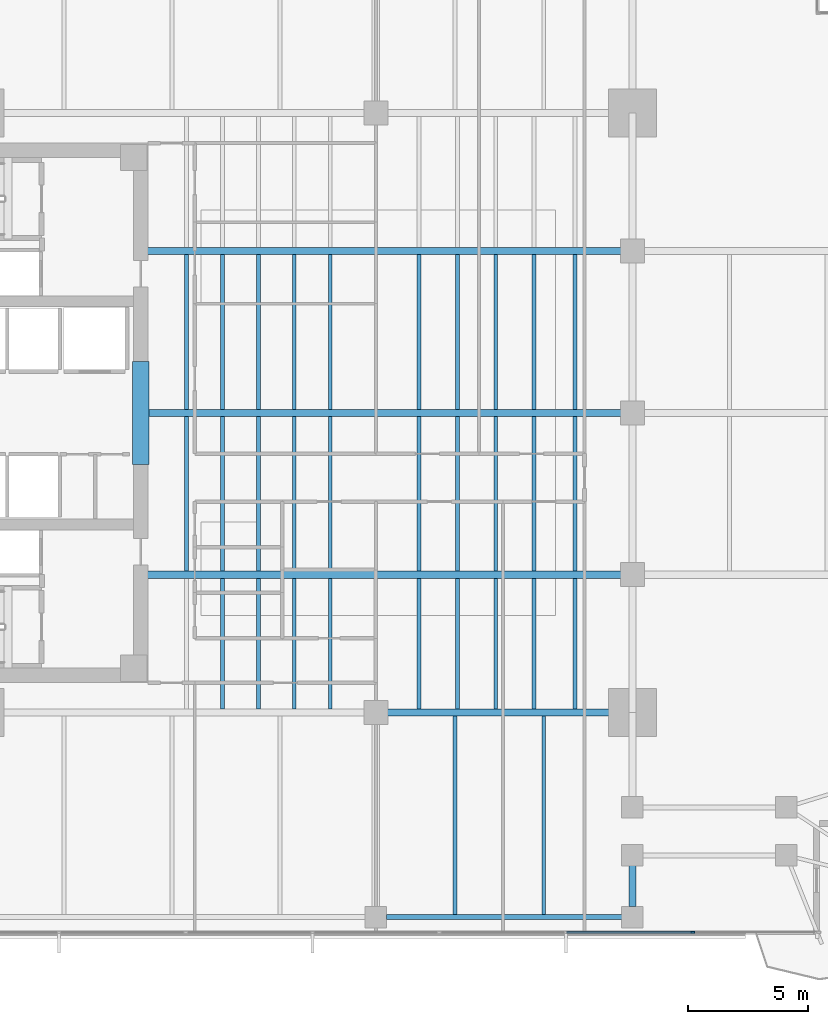
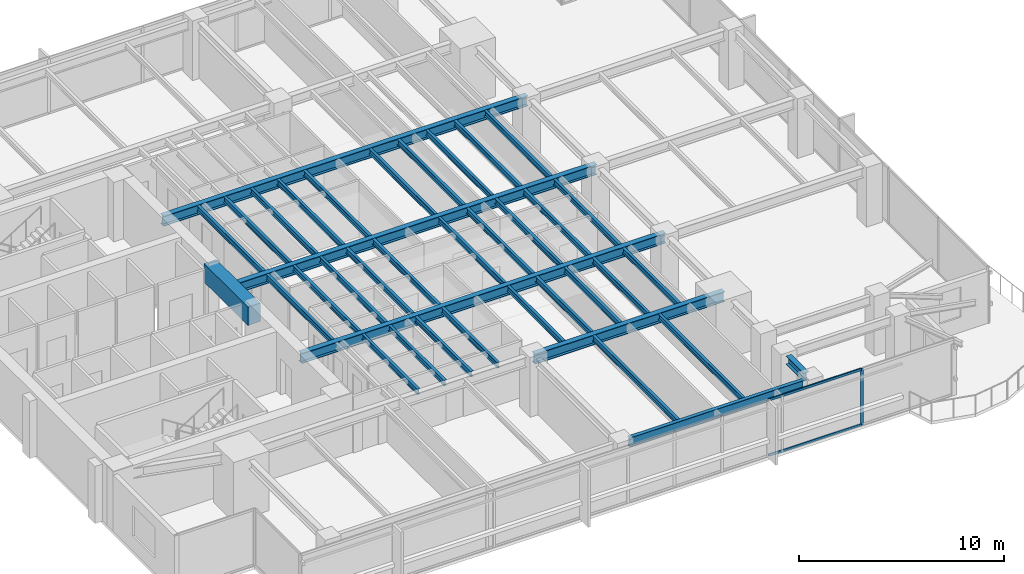
# One storey, part 3 of 14: 38 beams, 3 members, 1 element without a shape of its own.
"""IFC4 building model written with IfcOpenShell, lengths in metres."""

from ifc_helpers import new_model, si_unit, direction, frame, origin, origin_2d, place, context, subcontext, project, spatial, rectangle, i_section, extrude, material, layer, layer_set, material_profile, profile_set, type_object, element, aggregate, save


model = new_model("IFC4")

# Units and contexts
model_context = context("Model", 3, precision=1e-05, world=origin(), true_north=direction((0.0, 1.0)))
body_context = subcontext(model_context, "Body", "Model", "MODEL_VIEW")
ifc_project = project(units=[si_unit("LENGTHUNIT", "METRE"), si_unit("AREAUNIT", "SQUARE_METRE"), si_unit("VOLUMEUNIT", "CUBIC_METRE"), si_unit("PLANEANGLEUNIT", "RADIAN"), si_unit("MASSUNIT", "GRAM", prefix="KILO")], contexts=[model_context])

# Site, building, storey
site_placement = place(None, origin())
site = spatial("IfcSite", under=ifc_project, at=site_placement, CompositionType="ELEMENT")
building_placement = place(site_placement, origin())
building = spatial("IfcBuilding", under=site, at=building_placement, Name="Kinhvarn Gate Tower", CompositionType="ELEMENT")
storey_placement = place(building_placement, frame((0.0, 0.0, 134.199951171875)))
storey = spatial("IfcBuildingStorey", under=building, at=storey_placement, Name="L35", CompositionType="ELEMENT", Elevation=134.199951171875)

# Beam
ifc_material_1 = material(Name="Concrete C70/85", Category="concrete")
ifc_material_profile_1 = material_profile(ifc_material_1, rectangle(XDim=0.699951171875, YDim=1.10009765625, at=origin_2d()), Name="RC 700x1100")
ifc_profile_set_1 = profile_set([ifc_material_profile_1], Name="Concrete C70/85")
beam_type_1 = type_object("IfcBeamType", Name="BM-CB-1100", PredefinedType="LINTEL", material=ifc_profile_set_1)
beam_1_placement = place(storey_placement, frame((17.699951171875, 23.10009765625, 2.820068359375), z_axis=(0.0, 1.0, 0.0), x_axis=(-1.0, 0.0, 0.0)))
element("IfcBeam", 1, at=beam_1_placement, inside=storey, type_object=beam_type_1, Name="Core East Portal Coupling Beam L35", PredefinedType="LINTEL", context=body_context, shape_type="SweptSolid", body=[
    extrude(rectangle(XDim=0.699951171875, YDim=1.10009765625, at=origin_2d()), origin(), (0.0, 0.0, 1.0), 4.2998046875),
])

# Curtain wall, members
ifc_material_2 = material(Name="Anodised aluminium AW-6063", Category="aluminium")
ifc_layer = layer(ifc_material_2, 0.179931640625)
ifc_layer_set = layer_set([ifc_layer], Name="Anodised aluminium AW-6063")
curtain_wall_type = type_object("IfcCurtainWallType", Name="CW-SYS-3", PredefinedType="NOTDEFINED", material=ifc_layer_set)
curtain_wall_placement = place(storey_placement, origin())
curtain_wall = element("IfcCurtainWall", 2, at=curtain_wall_placement, inside=storey, type_object=curtain_wall_type, Name="Curtain Wall CW3 (L35)", PredefinedType="NOTDEFINED")
ifc_material_profile_2 = material_profile(ifc_material_2, rectangle(XDim=0.06494140625, YDim=0.159912109375, at=origin_2d()), Name="ALU 65x160")
ifc_profile_set_2 = profile_set([ifc_material_profile_2], Name="Anodised aluminium AW-6063")
member_type_1 = type_object("IfcMemberType", Name="CW-MUL-160", PredefinedType="MULLION", material=ifc_profile_set_2)
member_1_placement = place(storey_placement, frame((40.71435546875, 3.590087890625, 0.0), z_axis=(0.0, 0.0, 1.0), x_axis=(0.0, 1.0, 0.0)))
member_1 = element("IfcMember", 3, at=member_1_placement, type_object=member_type_1, Name="CW3 mullion 7", PredefinedType="MULLION", context=body_context, shape_type="SweptSolid", body=[
    extrude(rectangle(XDim=0.06494140625, YDim=0.159912109375, at=origin_2d()), origin(), (0.0, 0.0, 1.0), 3.3701171875),
])
ifc_material_profile_3 = material_profile(ifc_material_2, rectangle(XDim=0.070068359375, YDim=0.139892578125, at=origin_2d()), Name="ALU 70x140")
ifc_profile_set_3 = profile_set([ifc_material_profile_3], Name="Anodised aluminium AW-6063")
member_type_2 = type_object("IfcMemberType", Name="CW-TRN-140", PredefinedType="USERDEFINED", material=ifc_profile_set_3)
member_2_placement = place(storey_placement, frame((35.461181640625, 3.590087890625, 0.03515625), z_axis=(1.0, 0.0, 0.0), x_axis=(0.0, 1.0, 0.0)))
member_2 = element("IfcMember", 4, at=member_2_placement, type_object=member_type_2, Name="CW3 transom 6.1", ObjectType="TRANSOM", PredefinedType="USERDEFINED", context=body_context, shape_type="SweptSolid", body=[
    extrude(rectangle(XDim=0.070068359375, YDim=0.139892578125, at=origin_2d()), origin(), (0.0, 0.0, 1.0), 5.220703125),
])
member_3_placement = place(storey_placement, frame((35.461181640625, 3.590087890625, 3.3349609375), z_axis=(1.0, 0.0, 0.0), x_axis=(0.0, 1.0, 0.0)))
member_3 = element("IfcMember", 5, at=member_3_placement, type_object=member_type_2, Name="CW3 transom 6.2", ObjectType="TRANSOM", PredefinedType="USERDEFINED", context=body_context, shape_type="SweptSolid", body=[
    extrude(rectangle(XDim=0.070068359375, YDim=0.139892578125, at=origin_2d()), origin(), (0.0, 0.0, 1.0), 5.220703125),
])
aggregate(curtain_wall, [member_1, member_2, member_3])

# Beams
ifc_material_3 = material(Name="Steel S355", Category="steel")
ifc_material_profile_4 = material_profile(ifc_material_3, i_section(OverallWidth=0.300048828125, OverallDepth=0.5, WebThickness=0.014404296875, FlangeThickness=0.028076171875, at=origin_2d()), Name="HEB 500")
ifc_profile_set_4 = profile_set([ifc_material_profile_4], Name="Steel S355")
beam_type_2 = type_object("IfcBeamType", Name="STL-HEB500", PredefinedType="BEAM", material=ifc_profile_set_4)
beam_2_placement = place(storey_placement, frame((38.199951171875, 4.655029296875, 3.1201171875), z_axis=(0.0, 1.0, 0.0), x_axis=(-1.0, 0.0, 0.0)))
element("IfcBeam", 6, at=beam_2_placement, inside=storey, type_object=beam_type_2, Name="Floor Beam PG-14 (L35 MCE-S-A0)", PredefinedType="BEAM", context=body_context, shape_type="SweptSolid", body=[
    extrude(i_section(OverallWidth=0.300048828125, OverallDepth=0.5, WebThickness=0.014404296875, FlangeThickness=0.028076171875, at=origin_2d()), origin(), (0.0, 0.0, 1.0), 1.7099609375),
])
ifc_material_profile_5 = material_profile(ifc_material_3, i_section(OverallWidth=0.300048828125, OverallDepth=0.60009765625, WebThickness=0.015380859375, FlangeThickness=0.030029296875, at=origin_2d()), Name="HEB 600")
ifc_profile_set_5 = profile_set([ifc_material_profile_5], Name="Steel S355")
beam_type_3 = type_object("IfcBeamType", Name="STL-HEB600", PredefinedType="BEAM", material=ifc_profile_set_5)
beam_3_placement = place(storey_placement, frame((27.5, 12.75, 3.070068359375), z_axis=(1.0, 0.0, 0.0), x_axis=(0.0, 1.0, 0.0)))
element("IfcBeam", 7, at=beam_3_placement, inside=storey, type_object=beam_type_3, Name="Floor Beam PG-16 (L35 MG-S2)", PredefinedType="BEAM", context=body_context, shape_type="SweptSolid", body=[
    extrude(i_section(OverallWidth=0.300048828125, OverallDepth=0.60009765625, WebThickness=0.015380859375, FlangeThickness=0.030029296875, at=origin_2d()), origin(), (0.0, 0.0, 1.0), 10.699951171875),
])
beam_4_placement = place(storey_placement, frame((17.64990234375, 18.5, 3.070068359375), z_axis=(1.0, 0.0, 0.0), x_axis=(0.0, 1.0, 0.0)))
element("IfcBeam", 8, at=beam_4_placement, inside=storey, type_object=beam_type_3, Name="Floor Beam PG-16 (L35 EW1-Y18)", PredefinedType="BEAM", context=body_context, shape_type="SweptSolid", body=[
    extrude(i_section(OverallWidth=0.300048828125, OverallDepth=0.60009765625, WebThickness=0.015380859375, FlangeThickness=0.030029296875, at=origin_2d()), origin(), (0.0, 0.0, 1.0), 20.550048828125),
])
beam_5_placement = place(storey_placement, frame((18.050048828125, 25.25, 3.070068359375), z_axis=(1.0, 0.0, 0.0), x_axis=(0.0, 1.0, 0.0)))
element("IfcBeam", 9, at=beam_5_placement, inside=storey, type_object=beam_type_3, Name="Floor Beam PG-16 (L35 EW1-Y25)", PredefinedType="BEAM", context=body_context, shape_type="SweptSolid", body=[
    extrude(i_section(OverallWidth=0.300048828125, OverallDepth=0.60009765625, WebThickness=0.015380859375, FlangeThickness=0.030029296875, at=origin_2d()), origin(), (0.0, 0.0, 1.0), 20.14990234375),
])
beam_6_placement = place(storey_placement, frame((17.64990234375, 32.0, 3.070068359375), z_axis=(1.0, 0.0, 0.0), x_axis=(0.0, 1.0, 0.0)))
element("IfcBeam", 10, at=beam_6_placement, inside=storey, type_object=beam_type_3, Name="Floor Beam PG-16 (L35 EW1-Y32)", PredefinedType="BEAM", context=body_context, shape_type="SweptSolid", body=[
    extrude(i_section(OverallWidth=0.300048828125, OverallDepth=0.60009765625, WebThickness=0.015380859375, FlangeThickness=0.030029296875, at=origin_2d()), origin(), (0.0, 0.0, 1.0), 20.550048828125),
])
ifc_material_profile_6 = material_profile(ifc_material_3, i_section(OverallWidth=0.159912109375, OverallDepth=0.330078125, WebThickness=0.007568359375, FlangeThickness=0.011474609375, at=origin_2d()), Name="IPE 330")
ifc_profile_set_6 = profile_set([ifc_material_profile_6], Name="Steel S355")
beam_type_4 = type_object("IfcBeamType", Name="STL-IPE330", PredefinedType="JOIST", material=ifc_profile_set_6)
for number, where, z_axis, x_axis, name in (
    (11, (19.60009765625, 18.64990234375, 3.205078125), (0.0, 1.0, 0.0), (-1.0, 0.0, 0.0), "Floor Joist SB-03 (L35 JC-X196-1)"),
    (12, (19.60009765625, 25.39990234375, 3.205078125), (0.0, 1.0, 0.0), (-1.0, 0.0, 0.0), "Floor Joist SB-03 (L35 JC-X196-2)"),
):
    element("IfcBeam", number, at=place(storey_placement, frame(where, z_axis=z_axis, x_axis=x_axis)), inside=storey, type_object=beam_type_4, Name=name, PredefinedType="JOIST", context=body_context, shape_type="SweptSolid", body=[
        extrude(i_section(OverallWidth=0.159912109375, OverallDepth=0.330078125, WebThickness=0.007568359375, FlangeThickness=0.011474609375, at=origin_2d()), origin(), (0.0, 0.0, 1.0), 6.4501953125),
    ])
beam_7_placement = place(storey_placement, frame((21.10009765625, 12.89990234375, 3.205078125), z_axis=(0.0, 1.0, 0.0), x_axis=(-1.0, 0.0, 0.0)))
element("IfcBeam", 13, at=beam_7_placement, inside=storey, type_object=beam_type_4, Name="Floor Joist SB-03 (L35 JC-X211-0)", PredefinedType="JOIST", context=body_context, shape_type="SweptSolid", body=[
    extrude(i_section(OverallWidth=0.159912109375, OverallDepth=0.330078125, WebThickness=0.007568359375, FlangeThickness=0.011474609375, at=origin_2d()), origin(), (0.0, 0.0, 1.0), 5.4501953125),
])
for number, where, z_axis, x_axis, name in (
    (14, (21.10009765625, 18.64990234375, 3.205078125), (0.0, 1.0, 0.0), (-1.0, 0.0, 0.0), "Floor Joist SB-03 (L35 JC-X211-1)"),
    (15, (21.10009765625, 25.39990234375, 3.205078125), (0.0, 1.0, 0.0), (-1.0, 0.0, 0.0), "Floor Joist SB-03 (L35 JC-X211-2)"),
):
    element("IfcBeam", number, at=place(storey_placement, frame(where, z_axis=z_axis, x_axis=x_axis)), inside=storey, type_object=beam_type_4, Name=name, PredefinedType="JOIST", context=body_context, shape_type="SweptSolid", body=[
        extrude(i_section(OverallWidth=0.159912109375, OverallDepth=0.330078125, WebThickness=0.007568359375, FlangeThickness=0.011474609375, at=origin_2d()), origin(), (0.0, 0.0, 1.0), 6.4501953125),
    ])
beam_8_placement = place(storey_placement, frame((22.60009765625, 12.89990234375, 3.205078125), z_axis=(0.0, 1.0, 0.0), x_axis=(-1.0, 0.0, 0.0)))
element("IfcBeam", 16, at=beam_8_placement, inside=storey, type_object=beam_type_4, Name="Floor Joist SB-03 (L35 JC-X226-0)", PredefinedType="JOIST", context=body_context, shape_type="SweptSolid", body=[
    extrude(i_section(OverallWidth=0.159912109375, OverallDepth=0.330078125, WebThickness=0.007568359375, FlangeThickness=0.011474609375, at=origin_2d()), origin(), (0.0, 0.0, 1.0), 5.4501953125),
])
for number, where, z_axis, x_axis, name in (
    (17, (22.60009765625, 18.64990234375, 3.205078125), (0.0, 1.0, 0.0), (-1.0, 0.0, 0.0), "Floor Joist SB-03 (L35 JC-X226-1)"),
    (18, (22.60009765625, 25.39990234375, 3.205078125), (0.0, 1.0, 0.0), (-1.0, 0.0, 0.0), "Floor Joist SB-03 (L35 JC-X226-2)"),
):
    element("IfcBeam", number, at=place(storey_placement, frame(where, z_axis=z_axis, x_axis=x_axis)), inside=storey, type_object=beam_type_4, Name=name, PredefinedType="JOIST", context=body_context, shape_type="SweptSolid", body=[
        extrude(i_section(OverallWidth=0.159912109375, OverallDepth=0.330078125, WebThickness=0.007568359375, FlangeThickness=0.011474609375, at=origin_2d()), origin(), (0.0, 0.0, 1.0), 6.4501953125),
    ])
beam_9_placement = place(storey_placement, frame((24.10009765625, 12.89990234375, 3.205078125), z_axis=(0.0, 1.0, 0.0), x_axis=(-1.0, 0.0, 0.0)))
element("IfcBeam", 19, at=beam_9_placement, inside=storey, type_object=beam_type_4, Name="Floor Joist SB-03 (L35 JC-X241-0)", PredefinedType="JOIST", context=body_context, shape_type="SweptSolid", body=[
    extrude(i_section(OverallWidth=0.159912109375, OverallDepth=0.330078125, WebThickness=0.007568359375, FlangeThickness=0.011474609375, at=origin_2d()), origin(), (0.0, 0.0, 1.0), 5.4501953125),
])
for number, where, z_axis, x_axis, name in (
    (20, (24.10009765625, 18.64990234375, 3.205078125), (0.0, 1.0, 0.0), (-1.0, 0.0, 0.0), "Floor Joist SB-03 (L35 JC-X241-1)"),
    (21, (24.10009765625, 25.39990234375, 3.205078125), (0.0, 1.0, 0.0), (-1.0, 0.0, 0.0), "Floor Joist SB-03 (L35 JC-X241-2)"),
):
    element("IfcBeam", number, at=place(storey_placement, frame(where, z_axis=z_axis, x_axis=x_axis)), inside=storey, type_object=beam_type_4, Name=name, PredefinedType="JOIST", context=body_context, shape_type="SweptSolid", body=[
        extrude(i_section(OverallWidth=0.159912109375, OverallDepth=0.330078125, WebThickness=0.007568359375, FlangeThickness=0.011474609375, at=origin_2d()), origin(), (0.0, 0.0, 1.0), 6.4501953125),
    ])
beam_10_placement = place(storey_placement, frame((25.60009765625, 12.89990234375, 3.205078125), z_axis=(0.0, 1.0, 0.0), x_axis=(-1.0, 0.0, 0.0)))
element("IfcBeam", 22, at=beam_10_placement, inside=storey, type_object=beam_type_4, Name="Floor Joist SB-03 (L35 JC-X256-0)", PredefinedType="JOIST", context=body_context, shape_type="SweptSolid", body=[
    extrude(i_section(OverallWidth=0.159912109375, OverallDepth=0.330078125, WebThickness=0.007568359375, FlangeThickness=0.011474609375, at=origin_2d()), origin(), (0.0, 0.0, 1.0), 5.4501953125),
])
for number, where, z_axis, x_axis, name in (
    (23, (25.60009765625, 18.64990234375, 3.205078125), (0.0, 1.0, 0.0), (-1.0, 0.0, 0.0), "Floor Joist SB-03 (L35 JC-X256-1)"),
    (24, (25.60009765625, 25.39990234375, 3.205078125), (0.0, 1.0, 0.0), (-1.0, 0.0, 0.0), "Floor Joist SB-03 (L35 JC-X256-2)"),
):
    element("IfcBeam", number, at=place(storey_placement, frame(where, z_axis=z_axis, x_axis=x_axis)), inside=storey, type_object=beam_type_4, Name=name, PredefinedType="JOIST", context=body_context, shape_type="SweptSolid", body=[
        extrude(i_section(OverallWidth=0.159912109375, OverallDepth=0.330078125, WebThickness=0.007568359375, FlangeThickness=0.011474609375, at=origin_2d()), origin(), (0.0, 0.0, 1.0), 6.4501953125),
    ])
beam_11_placement = place(storey_placement, frame((29.300048828125, 12.89990234375, 3.205078125), z_axis=(0.0, 1.0, 0.0), x_axis=(-1.0, 0.0, 0.0)))
element("IfcBeam", 25, at=beam_11_placement, inside=storey, type_object=beam_type_4, Name="Floor Joist SB-03 (L35 JC-X293-0)", PredefinedType="JOIST", context=body_context, shape_type="SweptSolid", body=[
    extrude(i_section(OverallWidth=0.159912109375, OverallDepth=0.330078125, WebThickness=0.007568359375, FlangeThickness=0.011474609375, at=origin_2d()), origin(), (0.0, 0.0, 1.0), 5.4501953125),
])
for number, where, z_axis, x_axis, name in (
    (26, (29.300048828125, 18.64990234375, 3.205078125), (0.0, 1.0, 0.0), (-1.0, 0.0, 0.0), "Floor Joist SB-03 (L35 JC-X293-1)"),
    (27, (29.300048828125, 25.39990234375, 3.205078125), (0.0, 1.0, 0.0), (-1.0, 0.0, 0.0), "Floor Joist SB-03 (L35 JC-X293-2)"),
):
    element("IfcBeam", number, at=place(storey_placement, frame(where, z_axis=z_axis, x_axis=x_axis)), inside=storey, type_object=beam_type_4, Name=name, PredefinedType="JOIST", context=body_context, shape_type="SweptSolid", body=[
        extrude(i_section(OverallWidth=0.159912109375, OverallDepth=0.330078125, WebThickness=0.007568359375, FlangeThickness=0.011474609375, at=origin_2d()), origin(), (0.0, 0.0, 1.0), 6.4501953125),
    ])
beam_12_placement = place(storey_placement, frame((30.89990234375, 12.89990234375, 3.205078125), z_axis=(0.0, 1.0, 0.0), x_axis=(-1.0, 0.0, 0.0)))
element("IfcBeam", 28, at=beam_12_placement, inside=storey, type_object=beam_type_4, Name="Floor Joist SB-03 (L35 JC-X309-0)", PredefinedType="JOIST", context=body_context, shape_type="SweptSolid", body=[
    extrude(i_section(OverallWidth=0.159912109375, OverallDepth=0.330078125, WebThickness=0.007568359375, FlangeThickness=0.011474609375, at=origin_2d()), origin(), (0.0, 0.0, 1.0), 5.4501953125),
])
for number, where, z_axis, x_axis, name in (
    (29, (30.89990234375, 18.64990234375, 3.205078125), (0.0, 1.0, 0.0), (-1.0, 0.0, 0.0), "Floor Joist SB-03 (L35 JC-X309-1)"),
    (30, (30.89990234375, 25.39990234375, 3.205078125), (0.0, 1.0, 0.0), (-1.0, 0.0, 0.0), "Floor Joist SB-03 (L35 JC-X309-2)"),
):
    element("IfcBeam", number, at=place(storey_placement, frame(where, z_axis=z_axis, x_axis=x_axis)), inside=storey, type_object=beam_type_4, Name=name, PredefinedType="JOIST", context=body_context, shape_type="SweptSolid", body=[
        extrude(i_section(OverallWidth=0.159912109375, OverallDepth=0.330078125, WebThickness=0.007568359375, FlangeThickness=0.011474609375, at=origin_2d()), origin(), (0.0, 0.0, 1.0), 6.4501953125),
    ])
beam_13_placement = place(storey_placement, frame((32.5, 12.89990234375, 3.205078125), z_axis=(0.0, 1.0, 0.0), x_axis=(-1.0, 0.0, 0.0)))
element("IfcBeam", 31, at=beam_13_placement, inside=storey, type_object=beam_type_4, Name="Floor Joist SB-03 (L35 JC-X325-0)", PredefinedType="JOIST", context=body_context, shape_type="SweptSolid", body=[
    extrude(i_section(OverallWidth=0.159912109375, OverallDepth=0.330078125, WebThickness=0.007568359375, FlangeThickness=0.011474609375, at=origin_2d()), origin(), (0.0, 0.0, 1.0), 5.4501953125),
])
for number, where, z_axis, x_axis, name in (
    (32, (32.5, 18.64990234375, 3.205078125), (0.0, 1.0, 0.0), (-1.0, 0.0, 0.0), "Floor Joist SB-03 (L35 JC-X325-1)"),
    (33, (32.5, 25.39990234375, 3.205078125), (0.0, 1.0, 0.0), (-1.0, 0.0, 0.0), "Floor Joist SB-03 (L35 JC-X325-2)"),
):
    element("IfcBeam", number, at=place(storey_placement, frame(where, z_axis=z_axis, x_axis=x_axis)), inside=storey, type_object=beam_type_4, Name=name, PredefinedType="JOIST", context=body_context, shape_type="SweptSolid", body=[
        extrude(i_section(OverallWidth=0.159912109375, OverallDepth=0.330078125, WebThickness=0.007568359375, FlangeThickness=0.011474609375, at=origin_2d()), origin(), (0.0, 0.0, 1.0), 6.4501953125),
    ])
beam_14_placement = place(storey_placement, frame((34.10009765625, 12.89990234375, 3.205078125), z_axis=(0.0, 1.0, 0.0), x_axis=(-1.0, 0.0, 0.0)))
element("IfcBeam", 34, at=beam_14_placement, inside=storey, type_object=beam_type_4, Name="Floor Joist SB-03 (L35 JC-X341-0)", PredefinedType="JOIST", context=body_context, shape_type="SweptSolid", body=[
    extrude(i_section(OverallWidth=0.159912109375, OverallDepth=0.330078125, WebThickness=0.007568359375, FlangeThickness=0.011474609375, at=origin_2d()), origin(), (0.0, 0.0, 1.0), 5.4501953125),
])
for number, where, z_axis, x_axis, name in (
    (35, (34.10009765625, 18.64990234375, 3.205078125), (0.0, 1.0, 0.0), (-1.0, 0.0, 0.0), "Floor Joist SB-03 (L35 JC-X341-1)"),
    (36, (34.10009765625, 25.39990234375, 3.205078125), (0.0, 1.0, 0.0), (-1.0, 0.0, 0.0), "Floor Joist SB-03 (L35 JC-X341-2)"),
):
    element("IfcBeam", number, at=place(storey_placement, frame(where, z_axis=z_axis, x_axis=x_axis)), inside=storey, type_object=beam_type_4, Name=name, PredefinedType="JOIST", context=body_context, shape_type="SweptSolid", body=[
        extrude(i_section(OverallWidth=0.159912109375, OverallDepth=0.330078125, WebThickness=0.007568359375, FlangeThickness=0.011474609375, at=origin_2d()), origin(), (0.0, 0.0, 1.0), 6.4501953125),
    ])
beam_15_placement = place(storey_placement, frame((35.800048828125, 12.89990234375, 3.205078125), z_axis=(0.0, 1.0, 0.0), x_axis=(-1.0, 0.0, 0.0)))
element("IfcBeam", 37, at=beam_15_placement, inside=storey, type_object=beam_type_4, Name="Floor Joist SB-03 (L35 JC-X358-0)", PredefinedType="JOIST", context=body_context, shape_type="SweptSolid", body=[
    extrude(i_section(OverallWidth=0.159912109375, OverallDepth=0.330078125, WebThickness=0.007568359375, FlangeThickness=0.011474609375, at=origin_2d()), origin(), (0.0, 0.0, 1.0), 5.4501953125),
])
for number, where, z_axis, x_axis, name in (
    (38, (35.800048828125, 18.64990234375, 3.205078125), (0.0, 1.0, 0.0), (-1.0, 0.0, 0.0), "Floor Joist SB-03 (L35 JC-X358-1)"),
    (39, (35.800048828125, 25.39990234375, 3.205078125), (0.0, 1.0, 0.0), (-1.0, 0.0, 0.0), "Floor Joist SB-03 (L35 JC-X358-2)"),
):
    element("IfcBeam", number, at=place(storey_placement, frame(where, z_axis=z_axis, x_axis=x_axis)), inside=storey, type_object=beam_type_4, Name=name, PredefinedType="JOIST", context=body_context, shape_type="SweptSolid", body=[
        extrude(i_section(OverallWidth=0.159912109375, OverallDepth=0.330078125, WebThickness=0.007568359375, FlangeThickness=0.011474609375, at=origin_2d()), origin(), (0.0, 0.0, 1.0), 6.4501953125),
    ])
for number, where, z_axis, x_axis, name in (
    (40, (30.800048828125, 4.324951171875, 3.205078125), (0.0, 1.0, 0.0), (-1.0, 0.0, 0.0), "Floor Joist SB-03 (L35 JS-X308)"),
    (41, (34.5, 4.324951171875, 3.205078125), (0.0, 1.0, 0.0), (-1.0, 0.0, 0.0), "Floor Joist SB-03 (L35 JS-X345)"),
):
    element("IfcBeam", number, at=place(storey_placement, frame(where, z_axis=z_axis, x_axis=x_axis)), inside=storey, type_object=beam_type_4, Name=name, PredefinedType="JOIST", context=body_context, shape_type="SweptSolid", body=[
        extrude(i_section(OverallWidth=0.159912109375, OverallDepth=0.330078125, WebThickness=0.007568359375, FlangeThickness=0.011474609375, at=origin_2d()), origin(), (0.0, 0.0, 1.0), 8.275146484375),
    ])
ifc_material_profile_7 = material_profile(ifc_material_3, i_section(OverallWidth=0.2099609375, OverallDepth=0.550048828125, WebThickness=0.010986328125, FlangeThickness=0.01708984375, at=origin_2d()), Name="IPE 550")
ifc_profile_set_7 = profile_set([ifc_material_profile_7], Name="Steel S355")
beam_type_5 = type_object("IfcBeamType", Name="STL-IPE550", PredefinedType="SPANDREL", material=ifc_profile_set_7)
beam_16_placement = place(storey_placement, frame((27.93505859375, 4.219970703125, 3.094970703125), z_axis=(1.0, 0.0, 0.0), x_axis=(0.0, 1.0, 0.0)))
element("IfcBeam", 42, at=beam_16_placement, inside=storey, type_object=beam_type_5, Name="Floor Spandrel SB-08 (L35 SP-S2)", PredefinedType="SPANDREL", context=body_context, shape_type="SweptSolid", body=[
    extrude(i_section(OverallWidth=0.2099609375, OverallDepth=0.550048828125, WebThickness=0.010986328125, FlangeThickness=0.01708984375, at=origin_2d()), origin(), (0.0, 0.0, 1.0), 9.829833984375),
])

save(model, "model.ifc")
